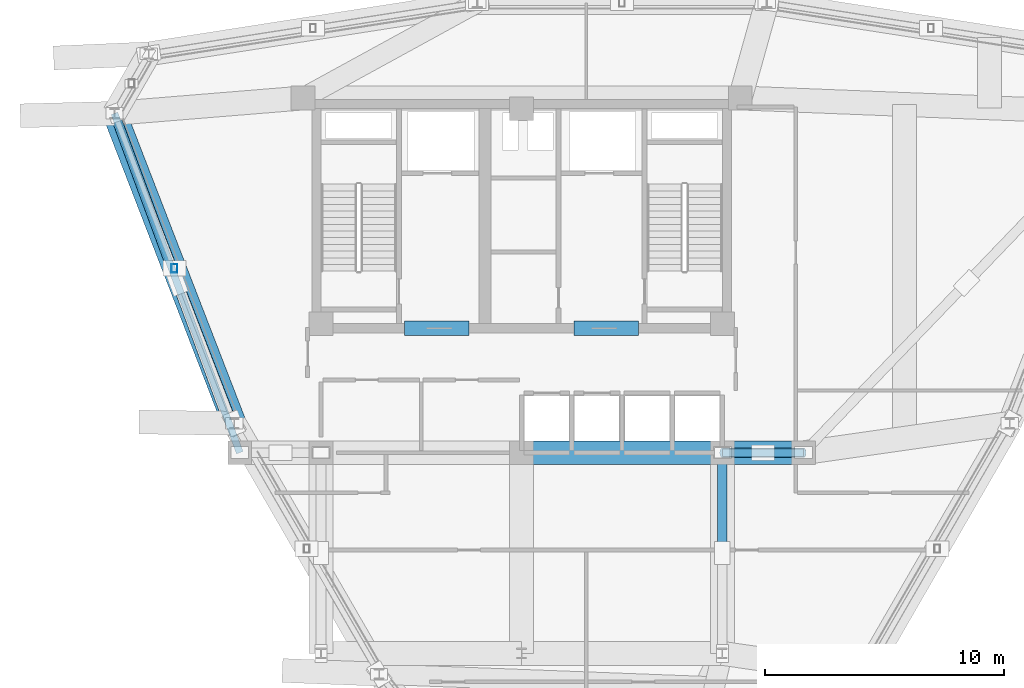
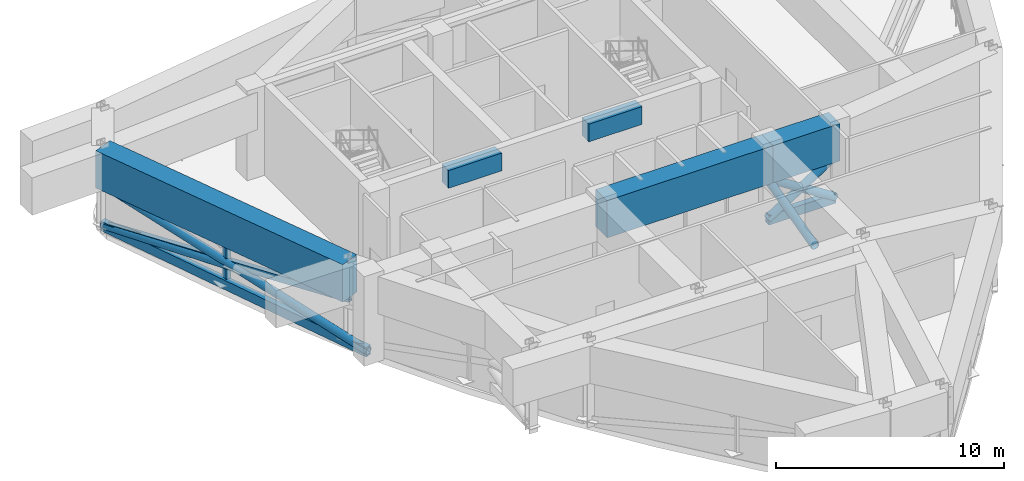
# One storey, part 3 of 11: 10 members, 5 beams.
"""IFC4 building model written with IfcOpenShell, lengths in metres."""

from ifc_helpers import new_model, si_unit, derived_unit, direction, frame, origin, origin_2d, place, context, subcontext, project, spatial, rectangle, hollow_rectangle, hollow_circle, extrude, source, transform, mapped, material, material_profile, profile_set, type_object, element, save


model = new_model("IFC4")

# Units and contexts
model_context = context("Model", 3, precision=1e-05, world=origin(), true_north=direction((0.0, 1.0)))
body_context = subcontext(model_context, "Body", "Model", "MODEL_VIEW")
ifc_project = project(units=[si_unit("LENGTHUNIT", "METRE"), si_unit("AREAUNIT", "SQUARE_METRE"), si_unit("VOLUMEUNIT", "CUBIC_METRE"), si_unit("PLANEANGLEUNIT", "RADIAN"), si_unit("MASSUNIT", "GRAM", prefix="KILO"), derived_unit("THERMALTRANSMITTANCEUNIT", [(si_unit("POWERUNIT", "WATT"), 1), (si_unit("LENGTHUNIT", "METRE"), -2), (si_unit("THERMODYNAMICTEMPERATUREUNIT", "KELVIN"), -1)])], contexts=[model_context])

# Site, building, storey
site_placement = place(None, origin())
site = spatial("IfcSite", under=ifc_project, at=site_placement, CompositionType="ELEMENT")
building_placement = place(site_placement, origin())
building = spatial("IfcBuilding", under=site, at=building_placement, Name="Korsvarv Bourse and Concert Hall", CompositionType="ELEMENT")
storey_placement = place(building_placement, frame((0.0, 0.0, 238.199951171875)))
storey = spatial("IfcBuildingStorey", under=building, at=storey_placement, Name="L62", CompositionType="ELEMENT", Elevation=238.199951171875)

# Beams
ifc_material_1 = material(Name="Concrete C55/67", Category="concrete")
ifc_material_profile_1 = material_profile(ifc_material_1, rectangle(XDim=0.60009765625, YDim=0.949951171875, at=origin_2d()), Name="RC-BM 600x950")
ifc_profile_set_1 = profile_set([ifc_material_profile_1], Name="Concrete C55/67")
beam_type_1 = type_object("IfcBeamType", Name="BM-CPL", PredefinedType="LINTEL", material=ifc_profile_set_1)
shared_shape_1 = source(origin(), body_context, "Body", "SweptSolid", [
    extrude(rectangle(XDim=0.60009765625, YDim=0.949951171875, at=origin_2d()), origin(), (0.0, 0.0, 1.0), 2.699951171875),
])
for number, where, z_axis, x_axis, name in (
    (1, (31.10009765625, 37.610107421875, 4.135009765625), (1.0, 0.0, 0.0), (0.0, 1.0, 0.0), "L62 Core Coupling Beam West"),
    (2, (38.199951171875, 37.610107421875, 4.135009765625), (1.0, 0.0, 0.0), (0.0, 1.0, 0.0), "L62 Core Coupling Beam East"),
):
    element("IfcBeam", number, at=place(storey_placement, frame(where, z_axis=z_axis, x_axis=x_axis)), inside=storey, type_object=beam_type_1, Name=name, PredefinedType="LINTEL", context=body_context, shape_type="MappedRepresentation", body=[
        mapped(shared_shape_1, transform((0.0, 0.0, 0.0), scale=1.0)),
    ])
ifc_material_2 = material(Name="Concrete C60/75", Category="concrete")
ifc_material_profile_2 = material_profile(ifc_material_2, rectangle(XDim=1.0, YDim=2.0, at=origin_2d()), Name="RC-BM 1000x2000")
ifc_profile_set_2 = profile_set([ifc_material_profile_2], Name="Concrete C60/75")
beam_type_2 = type_object("IfcBeamType", Name="BM-TR1", PredefinedType="BEAM", material=ifc_profile_set_2)
shared_shape_2 = source(origin(), body_context, "Body", "SweptSolid", [
    extrude(rectangle(XDim=1.0, YDim=2.0, at=origin_2d()), origin(), (0.0, 0.0, 1.0), 8.39990234375),
])
beam_1_placement = place(storey_placement, frame((36.0, 32.39990234375, 3.570068359375), z_axis=(1.0, 0.0, 0.0), x_axis=(0.0, 1.0, 0.0)))
element("IfcBeam", 3, at=beam_1_placement, inside=storey, type_object=beam_type_2, Name="L62 beam B-TR1", PredefinedType="BEAM", context=body_context, shape_type="MappedRepresentation", body=[
    mapped(shared_shape_2, transform((0.0, 0.0, 0.0), scale=1.0)),
])
shared_shape_3 = source(origin(), body_context, "Body", "SweptSolid", [
    extrude(rectangle(XDim=1.0, YDim=2.0, at=origin_2d()), origin(), (0.0, 0.0, 1.0), 3.400146484375),
])
beam_2_placement = place(storey_placement, frame((44.39990234375, 32.39990234375, 3.570068359375), z_axis=(1.0, 0.0, 0.0), x_axis=(0.0, 1.0, 0.0)))
element("IfcBeam", 4, at=beam_2_placement, inside=storey, type_object=beam_type_2, Name="L62 beam B-TR1", PredefinedType="BEAM", context=body_context, shape_type="MappedRepresentation", body=[
    mapped(shared_shape_3, transform((0.0, 0.0, 0.0), scale=1.0)),
])

# Members
ifc_material_3 = material(Name="Steel S460", Category="steel")
ifc_material_profile_3 = material_profile(ifc_material_3, hollow_rectangle(XDim=0.300048828125, YDim=0.5, WallThickness=0.02001953125, at=origin_2d()), Name="RHS 500x300x20")
ifc_profile_set_3 = profile_set([ifc_material_profile_3], Name="Steel S460")
member_type_1 = type_object("IfcMemberType", Name="MEM-RHS500", PredefinedType="CHORD", material=ifc_profile_set_3)
shared_shape_4 = source(origin(), body_context, "Body", "SweptSolid", [
    extrude(hollow_rectangle(XDim=0.300048828125, YDim=0.5, WallThickness=0.02001953125, at=origin_2d()), origin(), (0.0, 0.0, 1.0), 3.400146484375),
])
member_1_placement = place(storey_placement, frame((44.39990234375, 32.39990234375, 0.35009765625), z_axis=(1.0, 0.0, 0.0), x_axis=(0.0, 1.0, 0.0)))
element("IfcMember", 5, at=member_1_placement, inside=storey, type_object=member_type_1, Name="L62 Outrigger Truss E1 Bottom Chord", PredefinedType="CHORD", context=body_context, shape_type="MappedRepresentation", body=[
    mapped(shared_shape_4, transform((0.0, 0.0, 0.0), scale=1.0)),
])
ifc_material_4 = material(Name="Steel S355", Category="steel")
ifc_material_profile_4 = material_profile(ifc_material_4, hollow_rectangle(XDim=0.25, YDim=0.35009765625, WallThickness=0.012451171875, at=origin_2d()), Name="RHS 350x250x12.5")
ifc_profile_set_4 = profile_set([ifc_material_profile_4], Name="Steel S355")
member_type_2 = type_object("IfcMemberType", Name="MEM-RHS350", PredefinedType="STRUT", material=ifc_profile_set_4)
shared_shape_5 = source(origin(), body_context, "Body", "SweptSolid", [
    extrude(hollow_rectangle(XDim=0.25, YDim=0.35009765625, WallThickness=0.012451171875, at=origin_2d()), origin(), (0.0, 0.0, 1.0), 2.169921875),
])
member_2_placement = place(storey_placement, frame((21.461181640625, 40.11767578125, 0.35009765625), z_axis=(0.0, 0.0, 1.0), x_axis=(1.0, 0.0, 0.0)))
element("IfcMember", 6, at=member_2_placement, inside=storey, type_object=member_type_2, Name="L62 Perimeter Belt Truss Strut 6", PredefinedType="STRUT", context=body_context, shape_type="MappedRepresentation", body=[
    mapped(shared_shape_5, transform((0.0, 0.0, 0.0), scale=1.0)),
])
ifc_material_profile_5 = material_profile(ifc_material_4, hollow_circle(Radius=0.203125, WallThickness=0.01611328125, at=origin_2d()), Name="CHS 406.4x16")
ifc_profile_set_5 = profile_set([ifc_material_profile_5], Name="Steel S355")
member_type_3 = type_object("IfcMemberType", Name="MEM-CHS406", PredefinedType="BRACE", material=ifc_profile_set_5)
shared_shape_6 = source(origin(), body_context, "Body", "SweptSolid", [
    extrude(hollow_circle(Radius=0.203125, WallThickness=0.01611328125, at=origin_2d()), origin(), (0.0, 0.0, 1.0), 4.033447265625),
])
member_3_placement = place(storey_placement, frame((44.39990234375, 32.39990234375, 0.35009765625), z_axis=(0.842965426826, 0.0, 0.537967739903), x_axis=(0.0, 1.0, 0.0)))
element("IfcMember", 7, at=member_3_placement, inside=storey, type_object=member_type_3, Name="L62 Outrigger Truss E1 Diagonal 1", PredefinedType="BRACE", context=body_context, shape_type="MappedRepresentation", body=[
    mapped(shared_shape_6, transform((0.0, 0.0, 0.0), scale=1.0)),
])
shared_shape_7 = source(origin(), body_context, "Body", "SweptSolid", [
    extrude(hollow_circle(Radius=0.203125, WallThickness=0.01611328125, at=origin_2d()), origin(), (0.0, 0.0, 1.0), 2.0166015625),
])
member_4_placement = place(storey_placement, frame((47.800048828125, 32.39990234375, 0.35009765625), z_axis=(-0.842947908287, 0.0, 0.537995189491), x_axis=(0.0, -1.0, 0.0)))
element("IfcMember", 8, at=member_4_placement, inside=storey, type_object=member_type_3, Name="L62 Outrigger Truss E1 Split Diagonal 2A", PredefinedType="BRACE", context=body_context, shape_type="MappedRepresentation", body=[
    mapped(shared_shape_7, transform((0.0, 0.0, 0.0), scale=1.0)),
])
shared_shape_8 = source(origin(), body_context, "Body", "SweptSolid", [
    extrude(hollow_circle(Radius=0.203125, WallThickness=0.01611328125, at=origin_2d()), origin(), (0.0, 0.0, 1.0), 2.016845703125),
])
member_5_placement = place(storey_placement, frame((46.10009765625, 32.39990234375, 1.43505859375), z_axis=(-0.842982942684, 0.0, 0.537940292546), x_axis=(0.0, -1.0, 0.0)))
element("IfcMember", 9, at=member_5_placement, inside=storey, type_object=member_type_3, Name="L62 Outrigger Truss E1 Split Diagonal 2B", PredefinedType="BRACE", context=body_context, shape_type="MappedRepresentation", body=[
    mapped(shared_shape_8, transform((0.0, 0.0, 0.0), scale=1.0)),
])
shared_shape_9 = source(origin(), body_context, "Body", "SweptSolid", [
    extrude(hollow_circle(Radius=0.203125, WallThickness=0.01611328125, at=origin_2d()), origin(), (0.0, 0.0, 1.0), 4.337890625),
])
member_6_placement = place(storey_placement, frame((44.39990234375, 28.199951171875, 1.43505859375), z_axis=(0.0, 0.968215796223, 0.250116316829), x_axis=(-1.0, 0.0, 0.0)))
element("IfcMember", 10, at=member_6_placement, inside=storey, type_object=member_type_3, Name="L62 Outrigger Truss S2 Split Diagonal 2B", PredefinedType="BRACE", context=body_context, shape_type="MappedRepresentation", body=[
    mapped(shared_shape_9, transform((0.0, 0.0, 0.0), scale=1.0)),
])

# Beam
shared_shape_10 = source(origin(), body_context, "Body", "SweptSolid", [
    extrude(rectangle(XDim=1.0, YDim=2.0, at=origin_2d()), origin(), (0.0, 0.0, 1.0), 13.913330078125),
])
beam_3_placement = place(storey_placement, frame((18.95263671875, 46.606201171875, 3.570068359375), z_axis=(0.360616494338, -0.932714181307, 0.0), x_axis=(0.932714181307, 0.360616494338, 0.0)))
element("IfcBeam", 11, at=beam_3_placement, inside=storey, type_object=beam_type_2, Name="L62 beam B-TR1", PredefinedType="BEAM", context=body_context, shape_type="MappedRepresentation", body=[
    mapped(shared_shape_10, transform((0.0, 0.0, 0.0), scale=1.0)),
])

# Members
shared_shape_11 = source(origin(), body_context, "Body", "SweptSolid", [
    extrude(hollow_rectangle(XDim=0.300048828125, YDim=0.5, WallThickness=0.02001953125, at=origin_2d()), origin(), (0.0, 0.0, 1.0), 15.14453125),
])
member_7_placement = place(storey_placement, frame((24.199951171875, 32.39990234375, 0.35009765625), z_axis=(-0.346485173421, 0.938055448574, 0.0), x_axis=(-0.938055448574, -0.346485173421, 0.0)))
element("IfcMember", 12, at=member_7_placement, inside=storey, type_object=member_type_1, Name="L62 Outrigger Truss W2 Bottom Chord", PredefinedType="CHORD", context=body_context, shape_type="MappedRepresentation", body=[
    mapped(shared_shape_11, transform((0.0, 0.0, 0.0), scale=1.0)),
])
shared_shape_12 = source(origin(), body_context, "Body", "SweptSolid", [
    extrude(hollow_circle(Radius=0.203125, WallThickness=0.01611328125, at=origin_2d()), origin(), (0.0, 0.0, 1.0), 15.299072265625),
])
member_8_placement = place(storey_placement, frame((24.199951171875, 32.39990234375, 0.35009765625), z_axis=(-0.342982391232, 0.9285722032, 0.141833503618), x_axis=(-0.938055448574, -0.346485173421, 0.0)))
element("IfcMember", 13, at=member_8_placement, inside=storey, type_object=member_type_3, Name="L62 Outrigger Truss W2 Diagonal 1", PredefinedType="BRACE", context=body_context, shape_type="MappedRepresentation", body=[
    mapped(shared_shape_12, transform((0.0, 0.0, 0.0), scale=1.0)),
])
shared_shape_13 = source(origin(), body_context, "Body", "SweptSolid", [
    extrude(hollow_circle(Radius=0.203125, WallThickness=0.01611328125, at=origin_2d()), origin(), (0.0, 0.0, 1.0), 7.6494140625),
])
member_9_placement = place(storey_placement, frame((18.95263671875, 46.606201171875, 0.35009765625), z_axis=(0.343001554293, -0.928564922359, 0.141834829001), x_axis=(0.938048273334, 0.346504598664, 0.0)))
element("IfcMember", 14, at=member_9_placement, inside=storey, type_object=member_type_3, Name="L62 Outrigger Truss W2 Split Diagonal 2A", PredefinedType="BRACE", context=body_context, shape_type="MappedRepresentation", body=[
    mapped(shared_shape_13, transform((0.0, 0.0, 0.0), scale=1.0)),
])
shared_shape_14 = source(origin(), body_context, "Body", "SweptSolid", [
    extrude(hollow_rectangle(XDim=0.25, YDim=0.35009765625, WallThickness=0.012451171875, at=origin_2d()), origin(), (0.0, 0.0, 1.0), 14.081298828125),
])
member_10_placement = place(storey_placement, frame((18.95263671875, 46.606201171875, 0.35009765625), z_axis=(0.356309115019, -0.921573388142, 0.154098360872), x_axis=(0.932714181307, 0.360616494338, 0.0)))
element("IfcMember", 15, at=member_10_placement, inside=storey, type_object=member_type_2, Name="L62 Perimeter Belt Truss Diagonal 6", PredefinedType="STRUT", context=body_context, shape_type="MappedRepresentation", body=[
    mapped(shared_shape_14, transform((0.0, 0.0, 0.0), scale=1.0)),
])

save(model, "model.ifc")
